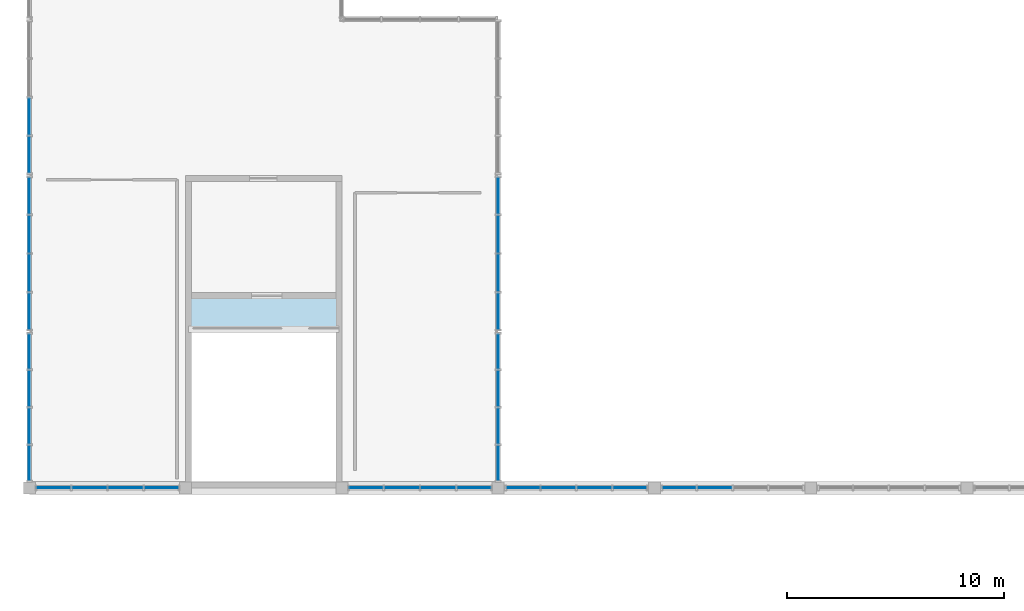
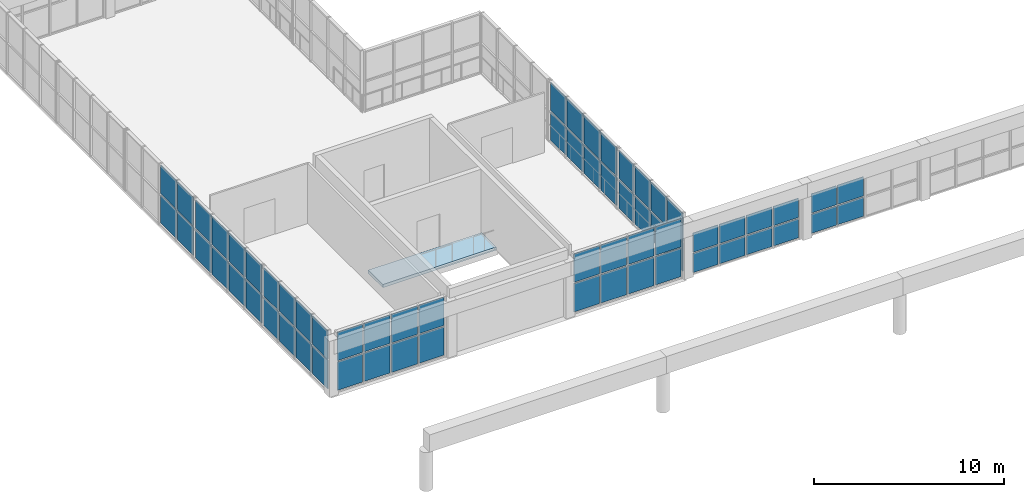
# One storey, part 50 of 83: 64 plates, 1 slab, 9 elements without a shape of their own.
"""IFC4 building model written with IfcOpenShell, lengths in metres."""

import ifcopenshell
import ifcopenshell.guid

model = None  # the IFC model being written
_history = None  # IfcOwnerHistory: only IFC2X3 demands one
_inside = {}  # id of a spatial element -> (the spatial element, [elements in it])
_under = {}  # id of a project, library or spatial element -> (it, [spatial elements below it])
_declared = {}  # id of a project -> (the project, [libraries it declares])
_typed = {}  # id of a type object -> (the type object, [elements of that type])
_made_of = {}  # id of a material, layer set ... -> (it, [elements and type objects made of it])


def new_model(schema):
    """Start an empty IFC model of exactly this schema.

    Asked for "IFC4X3", IfcOpenShell would pick the latest addendum, in which some entities
    have other attributes; the version numbers below select the first issue.
    IFC2X3 requires an IfcOwnerHistory on every rooted entity: one is made here for all.
    """
    global model, _history
    if schema == "IFC4X3":
        model = ifcopenshell.file(schema_version=(4, 3, 0, 0))
    else:
        model = ifcopenshell.file(schema=schema)
    _inside.clear()
    _under.clear()
    _declared.clear()
    _typed.clear()
    _made_of.clear()
    _history = None
    if model.schema == "IFC2X3":
        org = make("IfcOrganization", Name="unknown")
        user = make(
            "IfcPersonAndOrganization",
            ThePerson=make("IfcPerson", FamilyName="unknown"),
            TheOrganization=org,
        )
        app = make(
            "IfcApplication",
            ApplicationDeveloper=org,
            Version="unknown",
            ApplicationFullName="unknown",
            ApplicationIdentifier="unknown",
        )
        _history = make(
            "IfcOwnerHistory",
            OwningUser=user,
            OwningApplication=app,
            ChangeAction="ADDED",
            CreationDate=0,
        )
    return model


def make(cls, **values):
    """One entity of the class cls with the attributes given. An attribute that is None is left unset."""
    return model.create_entity(
        cls, **{name: value for name, value in values.items() if value is not None}
    )


def rooted(cls, **values):
    """An entity with a GlobalId (a new one), such as an element, a storey or a relation."""
    return make(cls, GlobalId=ifcopenshell.guid.new(), OwnerHistory=_history, **values)


def si_unit(unit_type, name, prefix=None):
    """IfcSIUnit, for example si_unit("LENGTHUNIT", "METRE", prefix="MILLI")."""
    return make("IfcSIUnit", UnitType=unit_type, Prefix=prefix, Name=name)


def assignment(units):
    """IfcUnitAssignment: the units of a project."""
    return None if units is None else make("IfcUnitAssignment", Units=units)


def point(xyz):
    """IfcCartesianPoint."""
    return None if xyz is None else make("IfcCartesianPoint", Coordinates=xyz)


def direction(xyz):
    """IfcDirection."""
    return None if xyz is None else make("IfcDirection", DirectionRatios=xyz)


def frame(location, z_axis=None, x_axis=None):
    """IfcAxis2Placement3D, a coordinate frame: its origin and axes. An axis left out is left unset."""
    return make(
        "IfcAxis2Placement3D",
        Location=point(location),
        Axis=direction(z_axis),
        RefDirection=direction(x_axis),
    )


def frame_2d(location, x_axis=None):
    """IfcAxis2Placement2D, a coordinate frame in the plane: its origin and x axis."""
    return make(
        "IfcAxis2Placement2D", Location=point(location), RefDirection=direction(x_axis)
    )


def origin():
    """The frame at (0, 0, 0) with its axes left unset."""
    return frame((0.0, 0.0, 0.0))


def origin_2d():
    """The frame at (0, 0) in the plane with its x axis left unset."""
    return frame_2d((0.0, 0.0))


def place(relative_to, where):
    """IfcLocalPlacement: puts the frame where relative to a parent placement (None: the world)."""
    return make(
        "IfcLocalPlacement", PlacementRelTo=relative_to, RelativePlacement=where
    )


def context(
    kind, dimensions, precision=None, world=None, true_north=None, identifier=None
):
    """IfcGeometricRepresentationContext, for example the 3D "Model" context."""
    return make(
        "IfcGeometricRepresentationContext",
        ContextIdentifier=identifier,
        ContextType=kind,
        CoordinateSpaceDimension=dimensions,
        Precision=precision,
        WorldCoordinateSystem=world,
        TrueNorth=true_north,
    )


def subcontext(parent, identifier, kind, view, scale=None):
    """IfcGeometricRepresentationSubContext, for example "Body" below "Model"."""
    return make(
        "IfcGeometricRepresentationSubContext",
        ContextIdentifier=identifier,
        ContextType=kind,
        ParentContext=parent,
        TargetScale=scale,
        TargetView=view,
    )


def project(units=None, contexts=None):
    """IfcProject with its units and contexts."""
    return rooted(
        "IfcProject",
        Name="project",
        RepresentationContexts=contexts,
        UnitsInContext=assignment(units),
    )


def spatial(cls, under=None, at=None, **own):
    """A site, building, storey or space (cls), placed at a placement, below another one or the project."""
    s = rooted(cls, ObjectPlacement=at, **own)
    if under is not None:
        _under.setdefault(under.id(), (under, []))[1].append(s)
    return s


def polyline(points):
    """IfcPolyline through the points."""
    return make("IfcPolyline", Points=[point(p) for p in points])


def profile(cls, at=None, kind="AREA", **sizes):
    """A parametric profile (cls). Its sizes go by their IFC names, for example OverallWidth=200.0."""
    return make(cls, ProfileType=kind, Position=at, **sizes)


def rectangle(**sizes):
    """IfcRectangleProfileDef."""
    return profile("IfcRectangleProfileDef", **sizes)


def outline(outer, holes=None, kind="AREA"):
    """IfcArbitraryClosedProfileDef: a profile drawn as a closed curve; with holes, ...WithVoids."""
    if holes is None:
        return make("IfcArbitraryClosedProfileDef", ProfileType=kind, OuterCurve=outer)
    return make(
        "IfcArbitraryProfileDefWithVoids",
        ProfileType=kind,
        OuterCurve=outer,
        InnerCurves=holes,
    )


def extrude(swept, where, along, depth):
    """IfcExtrudedAreaSolid: the profile swept, set in the frame where, extruded along a direction by depth."""
    return make(
        "IfcExtrudedAreaSolid",
        SweptArea=swept,
        Position=where,
        ExtrudedDirection=direction(along),
        Depth=depth,
    )


def shape(context_of_items, identifier, shape_type, items):
    """IfcShapeRepresentation: the items that make up one representation, for example the "Body"."""
    return make(
        "IfcShapeRepresentation",
        ContextOfItems=context_of_items,
        RepresentationIdentifier=identifier,
        RepresentationType=shape_type,
        Items=items,
    )


def material(Name=None, Category=None):
    """IfcMaterial."""
    return make("IfcMaterial", Name=Name, Category=Category)


def layer(
    of_material, thickness, ventilated=None, Name=None, Category=None, Priority=None
):
    """IfcMaterialLayer: one layer of a wall or slab, of a material (None: an air gap)."""
    return make(
        "IfcMaterialLayer",
        Material=of_material,
        LayerThickness=thickness,
        IsVentilated=ventilated,
        Name=Name,
        Category=Category,
        Priority=Priority,
    )


def layer_set(layers, Name=None):
    """IfcMaterialLayerSet."""
    return make("IfcMaterialLayerSet", MaterialLayers=layers, LayerSetName=Name)


def made_of(thing, what):
    """Note that an element or type object is made of a material, layer set ...; save() writes the relation."""
    if what is not None:
        _made_of.setdefault(what.id(), (what, []))[1].append(thing)
    return thing


def type_object(cls, material=None, **own):
    """A type object (cls), such as IfcWallType, which elements share."""
    return made_of(rooted(cls, **own), material)


def element(
    cls,
    number,
    at=None,
    inside=None,
    cuts=None,
    type_object=None,
    material=None,
    context=None,
    identifier="Body",
    shape_type=None,
    held_by="IfcProductDefinitionShape",
    body=None,
    shapes=None,
    **own,
):
    """One element of the class cls, such as IfcWall. Its Tag is "e" and its number.

    at: its placement. inside: the storey or other place that contains it. cuts: it is an
    opening in that element (IfcRelVoidsElement). A single representation is given by context,
    identifier, shape_type and body (its items); several are given by shapes. held_by: the class
    of the entity that holds the representations. save() writes the other relations.
    """
    e = rooted(cls, Tag="e%d" % number, ObjectPlacement=at, **own)
    if body is not None:
        shapes = [shape(context, identifier, shape_type, body)]
    if shapes is not None:
        e.Representation = make(held_by, Representations=shapes)
    if inside is not None:
        _inside.setdefault(inside.id(), (inside, []))[1].append(e)
    if cuts is not None:
        rooted(
            "IfcRelVoidsElement", RelatingBuildingElement=cuts, RelatedOpeningElement=e
        )
    if type_object is not None:
        _typed.setdefault(type_object.id(), (type_object, []))[1].append(e)
    return made_of(e, material)


def aggregate(whole, parts):
    """IfcRelAggregates: a whole, such as a stair, and the parts it consists of."""
    return rooted("IfcRelAggregates", RelatingObject=whole, RelatedObjects=parts)


def save(model, path):
    """Write the relations noted so far, then the file.

    IfcRelAggregates (storeys below a building ...), IfcRelContainedInSpatialStructure (elements
    in a storey), IfcRelDefinesByType, IfcRelAssociatesMaterial and IfcRelDeclares: one each for
    every whole, place, type object, material and project.
    """
    for whole, parts in _under.values():
        aggregate(whole, parts)
    for where, things in _inside.values():
        rooted(
            "IfcRelContainedInSpatialStructure",
            RelatedElements=things,
            RelatingStructure=where,
        )
    for kind, things in _typed.values():
        rooted("IfcRelDefinesByType", RelatedObjects=things, RelatingType=kind)
    for what, things in _made_of.values():
        rooted("IfcRelAssociatesMaterial", RelatedObjects=things, RelatingMaterial=what)
    for by, libraries in _declared.values():
        rooted("IfcRelDeclares", RelatingContext=by, RelatedDefinitions=libraries)
    model.write(path)


model = new_model("IFC4")

# Units and contexts
model_context = context("Model", 3, precision=1e-05, world=origin(), true_north=direction((0.0, 1.0)))
body_context = subcontext(model_context, "Body", "Model", "MODEL_VIEW")
ifc_project = project(units=[si_unit("LENGTHUNIT", "METRE"), si_unit("AREAUNIT", "SQUARE_METRE"), si_unit("VOLUMEUNIT", "CUBIC_METRE"), si_unit("PLANEANGLEUNIT", "RADIAN"), si_unit("MASSUNIT", "GRAM", prefix="KILO")], contexts=[model_context])

# Site, building, storey
site_placement = place(None, origin())
site = spatial("IfcSite", under=ifc_project, at=site_placement, CompositionType="ELEMENT")
building_placement = place(site_placement, origin())
building = spatial("IfcBuilding", under=site, at=building_placement, Name="Leyfeld Transit Interchange", CompositionType="ELEMENT")
storey_placement = place(building_placement, frame((0.0, 0.0, 5.39990234375)))
storey = spatial("IfcBuildingStorey", under=building, at=storey_placement, Name="L01", CompositionType="ELEMENT", Elevation=5.39990234375)

# Curtain wall, plates
ifc_material_1 = material(Name="Anodised aluminium EN AW-6060 T66", Category="aluminium")
curtain_wall_type = type_object("IfcCurtainWallType", Name="CW-SYS-ARC-7200", PredefinedType="NOTDEFINED", material=ifc_material_1)
curtain_wall_1_placement = place(storey_placement, origin())
curtain_wall_1 = element("IfcCurtainWall", 1, at=curtain_wall_1_placement, inside=storey, type_object=curtain_wall_type, Name="Curtain Wall CW-L01-051", PredefinedType="NOTDEFINED")
ifc_material_2 = material(Name="Triple low-E insulated glazing", Category="glass")
ifc_layer_1 = layer(ifc_material_2, 0.0439453125, Name="Triple low-E insulated glazing")
ifc_layer_set_1 = layer_set([ifc_layer_1], Name="Triple low-E insulated glazing")
plate_type = type_object("IfcPlateType", Name="CW-PNL-GLZ-44", PredefinedType="CURTAIN_PANEL", material=ifc_layer_set_1)
plate_1_placement = place(storey_placement, frame((6.080078125, 14.39990234375, 0.08349609375), z_axis=(0.0, 0.0, 1.0), x_axis=(-1.0, 0.0, 0.0)))
plate_1 = element("IfcPlate", 2, at=plate_1_placement, type_object=plate_type, Name="Glazed Curtain Panel CW-L01-051-P01_1", PredefinedType="CURTAIN_PANEL", context=body_context, shape_type="SweptSolid", body=[
    extrude(rectangle(XDim=1.54296875, YDim=0.0439453125, at=origin_2d()), origin(), (0.0, 0.0, 1.0), 1.825439453125),
])
plate_2_placement = place(storey_placement, frame((6.080078125, 14.39990234375, 1.9912109375), z_axis=(0.0, 0.0, 1.0), x_axis=(-1.0, 0.0, 0.0)))
plate_2 = element("IfcPlate", 3, at=plate_2_placement, type_object=plate_type, Name="Glazed Curtain Panel CW-L01-051-P01_2", PredefinedType="CURTAIN_PANEL", context=body_context, shape_type="SweptSolid", body=[
    extrude(rectangle(XDim=1.54296875, YDim=0.0439453125, at=origin_2d()), origin(), (0.0, 0.0, 1.0), 1.825439453125),
])
plate_3_placement = place(storey_placement, frame((4.43359375, 14.39990234375, 0.08349609375), z_axis=(0.0, 0.0, 1.0), x_axis=(-1.0, 0.0, 0.0)))
plate_3 = element("IfcPlate", 4, at=plate_3_placement, type_object=plate_type, Name="Glazed Curtain Panel CW-L01-051-P02_1", PredefinedType="CURTAIN_PANEL", context=body_context, shape_type="SweptSolid", body=[
    extrude(rectangle(XDim=1.58544921875, YDim=0.0439453125, at=origin_2d()), origin(), (0.0, 0.0, 1.0), 1.825439453125),
])
plate_4_placement = place(storey_placement, frame((4.43359375, 14.39990234375, 1.9912109375), z_axis=(0.0, 0.0, 1.0), x_axis=(-1.0, 0.0, 0.0)))
plate_4 = element("IfcPlate", 5, at=plate_4_placement, type_object=plate_type, Name="Glazed Curtain Panel CW-L01-051-P02_2", PredefinedType="CURTAIN_PANEL", context=body_context, shape_type="SweptSolid", body=[
    extrude(rectangle(XDim=1.58544921875, YDim=0.0439453125, at=origin_2d()), origin(), (0.0, 0.0, 1.0), 1.825439453125),
])
plate_5_placement = place(storey_placement, frame((2.76611328125, 14.39990234375, 0.08349609375), z_axis=(0.0, 0.0, 1.0), x_axis=(-1.0, 0.0, 0.0)))
plate_5 = element("IfcPlate", 6, at=plate_5_placement, type_object=plate_type, Name="Glazed Curtain Panel CW-L01-051-P03_1", PredefinedType="CURTAIN_PANEL", context=body_context, shape_type="SweptSolid", body=[
    extrude(rectangle(XDim=1.58544921875, YDim=0.0439453125, at=origin_2d()), origin(), (0.0, 0.0, 1.0), 1.825439453125),
])
plate_6_placement = place(storey_placement, frame((2.76611328125, 14.39990234375, 1.9912109375), z_axis=(0.0, 0.0, 1.0), x_axis=(-1.0, 0.0, 0.0)))
plate_6 = element("IfcPlate", 7, at=plate_6_placement, type_object=plate_type, Name="Glazed Curtain Panel CW-L01-051-P03_2", PredefinedType="CURTAIN_PANEL", context=body_context, shape_type="SweptSolid", body=[
    extrude(rectangle(XDim=1.58544921875, YDim=0.0439453125, at=origin_2d()), origin(), (0.0, 0.0, 1.0), 1.825439453125),
])
plate_7_placement = place(storey_placement, frame((1.1201171875, 14.39990234375, 0.08349609375), z_axis=(0.0, 0.0, 1.0), x_axis=(-1.0, 0.0, 0.0)))
plate_7 = element("IfcPlate", 8, at=plate_7_placement, type_object=plate_type, Name="Glazed Curtain Panel CW-L01-051-P04_1", PredefinedType="CURTAIN_PANEL", context=body_context, shape_type="SweptSolid", body=[
    extrude(rectangle(XDim=1.54296875, YDim=0.0439453125, at=origin_2d()), origin(), (0.0, 0.0, 1.0), 1.825439453125),
])
plate_8_placement = place(storey_placement, frame((1.1201171875, 14.39990234375, 1.9912109375), z_axis=(0.0, 0.0, 1.0), x_axis=(-1.0, 0.0, 0.0)))
plate_8 = element("IfcPlate", 9, at=plate_8_placement, type_object=plate_type, Name="Glazed Curtain Panel CW-L01-051-P04_2", PredefinedType="CURTAIN_PANEL", context=body_context, shape_type="SweptSolid", body=[
    extrude(rectangle(XDim=1.54296875, YDim=0.0439453125, at=origin_2d()), origin(), (0.0, 0.0, 1.0), 1.825439453125),
])
aggregate(curtain_wall_1, [plate_1, plate_2, plate_3, plate_4, plate_5, plate_6, plate_7, plate_8])

curtain_wall_2_placement = place(storey_placement, origin())
curtain_wall_2 = element("IfcCurtainWall", 10, at=curtain_wall_2_placement, inside=storey, type_object=curtain_wall_type, Name="Curtain Wall CW-L01-052", PredefinedType="NOTDEFINED")
plate_9_placement = place(storey_placement, frame((0.0, 15.54931640625, 0.08349609375), z_axis=(0.0, 0.0, 1.0), x_axis=(0.0, 1.0, 0.0)))
plate_9 = element("IfcPlate", 11, at=plate_9_placement, type_object=plate_type, Name="Glazed Curtain Panel CW-L01-052-P01_1", PredefinedType="CURTAIN_PANEL", context=body_context, shape_type="SweptSolid", body=[
    extrude(rectangle(XDim=1.601806640625, YDim=0.0439453125, at=origin_2d()), origin(), (0.0, 0.0, 1.0), 1.825439453125),
])
plate_10_placement = place(storey_placement, frame((0.0, 15.54931640625, 1.9912109375), z_axis=(0.0, 0.0, 1.0), x_axis=(0.0, 1.0, 0.0)))
plate_10 = element("IfcPlate", 12, at=plate_10_placement, type_object=plate_type, Name="Glazed Curtain Panel CW-L01-052-P01_2", PredefinedType="CURTAIN_PANEL", context=body_context, shape_type="SweptSolid", body=[
    extrude(rectangle(XDim=1.601806640625, YDim=0.0439453125, at=origin_2d()), origin(), (0.0, 0.0, 1.0), 1.825439453125),
])
plate_11_placement = place(storey_placement, frame((0.0, 17.25439453125, 0.08349609375), z_axis=(0.0, 0.0, 1.0), x_axis=(0.0, 1.0, 0.0)))
plate_11 = element("IfcPlate", 13, at=plate_11_placement, type_object=plate_type, Name="Glazed Curtain Panel CW-L01-052-P02_1", PredefinedType="CURTAIN_PANEL", context=body_context, shape_type="SweptSolid", body=[
    extrude(rectangle(XDim=1.644287109375, YDim=0.0439453125, at=origin_2d()), origin(), (0.0, 0.0, 1.0), 1.825439453125),
])
plate_12_placement = place(storey_placement, frame((0.0, 17.25439453125, 1.9912109375), z_axis=(0.0, 0.0, 1.0), x_axis=(0.0, 1.0, 0.0)))
plate_12 = element("IfcPlate", 14, at=plate_12_placement, type_object=plate_type, Name="Glazed Curtain Panel CW-L01-052-P02_2", PredefinedType="CURTAIN_PANEL", context=body_context, shape_type="SweptSolid", body=[
    extrude(rectangle(XDim=1.644287109375, YDim=0.0439453125, at=origin_2d()), origin(), (0.0, 0.0, 1.0), 1.825439453125),
])
plate_13_placement = place(storey_placement, frame((0.0, 18.980712890625, 0.08349609375), z_axis=(0.0, 0.0, 1.0), x_axis=(0.0, 1.0, 0.0)))
plate_13 = element("IfcPlate", 15, at=plate_13_placement, type_object=plate_type, Name="Glazed Curtain Panel CW-L01-052-P03_1", PredefinedType="CURTAIN_PANEL", context=body_context, shape_type="SweptSolid", body=[
    extrude(rectangle(XDim=1.644287109375, YDim=0.0439453125, at=origin_2d()), origin(), (0.0, 0.0, 1.0), 1.825439453125),
])
plate_14_placement = place(storey_placement, frame((0.0, 18.980712890625, 1.9912109375), z_axis=(0.0, 0.0, 1.0), x_axis=(0.0, 1.0, 0.0)))
plate_14 = element("IfcPlate", 16, at=plate_14_placement, type_object=plate_type, Name="Glazed Curtain Panel CW-L01-052-P03_2", PredefinedType="CURTAIN_PANEL", context=body_context, shape_type="SweptSolid", body=[
    extrude(rectangle(XDim=1.644287109375, YDim=0.0439453125, at=origin_2d()), origin(), (0.0, 0.0, 1.0), 1.825439453125),
])
plate_15_placement = place(storey_placement, frame((0.0, 20.685546875, 0.08349609375), z_axis=(0.0, 0.0, 1.0), x_axis=(0.0, 1.0, 0.0)))
plate_15 = element("IfcPlate", 17, at=plate_15_placement, type_object=plate_type, Name="Glazed Curtain Panel CW-L01-052-P04_1", PredefinedType="CURTAIN_PANEL", context=body_context, shape_type="SweptSolid", body=[
    extrude(rectangle(XDim=1.601806640625, YDim=0.0439453125, at=origin_2d()), origin(), (0.0, 0.0, 1.0), 1.825439453125),
])
plate_16_placement = place(storey_placement, frame((0.0, 20.685546875, 1.9912109375), z_axis=(0.0, 0.0, 1.0), x_axis=(0.0, 1.0, 0.0)))
plate_16 = element("IfcPlate", 18, at=plate_16_placement, type_object=plate_type, Name="Glazed Curtain Panel CW-L01-052-P04_2", PredefinedType="CURTAIN_PANEL", context=body_context, shape_type="SweptSolid", body=[
    extrude(rectangle(XDim=1.601806640625, YDim=0.0439453125, at=origin_2d()), origin(), (0.0, 0.0, 1.0), 1.825439453125),
])
aggregate(curtain_wall_2, [plate_9, plate_10, plate_11, plate_12, plate_13, plate_14, plate_15, plate_16])

curtain_wall_3_placement = place(storey_placement, origin())
curtain_wall_3 = element("IfcCurtainWall", 19, at=curtain_wall_3_placement, inside=storey, type_object=curtain_wall_type, Name="Curtain Wall CW-L01-053", PredefinedType="NOTDEFINED")
plate_17_placement = place(storey_placement, frame((0.0, 22.543701171875, 0.08349609375), z_axis=(0.0, 0.0, 1.0), x_axis=(0.0, 1.0, 0.0)))
plate_17 = element("IfcPlate", 20, at=plate_17_placement, type_object=plate_type, Name="Glazed Curtain Panel CW-L01-053-P01_1", PredefinedType="CURTAIN_PANEL", context=body_context, shape_type="SweptSolid", body=[
    extrude(rectangle(XDim=1.660400390625, YDim=0.0439453125, at=origin_2d()), origin(), (0.0, 0.0, 1.0), 1.825439453125),
])
plate_18_placement = place(storey_placement, frame((0.0, 22.543701171875, 1.9912109375), z_axis=(0.0, 0.0, 1.0), x_axis=(0.0, 1.0, 0.0)))
plate_18 = element("IfcPlate", 21, at=plate_18_placement, type_object=plate_type, Name="Glazed Curtain Panel CW-L01-053-P01_2", PredefinedType="CURTAIN_PANEL", context=body_context, shape_type="SweptSolid", body=[
    extrude(rectangle(XDim=1.660400390625, YDim=0.0439453125, at=origin_2d()), origin(), (0.0, 0.0, 1.0), 1.825439453125),
])
plate_19_placement = place(storey_placement, frame((0.0, 24.3076171875, 0.08349609375), z_axis=(0.0, 0.0, 1.0), x_axis=(0.0, 1.0, 0.0)))
plate_19 = element("IfcPlate", 22, at=plate_19_placement, type_object=plate_type, Name="Glazed Curtain Panel CW-L01-053-P02_1", PredefinedType="CURTAIN_PANEL", context=body_context, shape_type="SweptSolid", body=[
    extrude(rectangle(XDim=1.702880859375, YDim=0.0439453125, at=origin_2d()), origin(), (0.0, 0.0, 1.0), 1.825439453125),
])
plate_20_placement = place(storey_placement, frame((0.0, 24.3076171875, 1.9912109375), z_axis=(0.0, 0.0, 1.0), x_axis=(0.0, 1.0, 0.0)))
plate_20 = element("IfcPlate", 23, at=plate_20_placement, type_object=plate_type, Name="Glazed Curtain Panel CW-L01-053-P02_2", PredefinedType="CURTAIN_PANEL", context=body_context, shape_type="SweptSolid", body=[
    extrude(rectangle(XDim=1.702880859375, YDim=0.0439453125, at=origin_2d()), origin(), (0.0, 0.0, 1.0), 1.825439453125),
])
plate_21_placement = place(storey_placement, frame((0.0, 26.092529296875, 0.08349609375), z_axis=(0.0, 0.0, 1.0), x_axis=(0.0, 1.0, 0.0)))
plate_21 = element("IfcPlate", 24, at=plate_21_placement, type_object=plate_type, Name="Glazed Curtain Panel CW-L01-053-P03_1", PredefinedType="CURTAIN_PANEL", context=body_context, shape_type="SweptSolid", body=[
    extrude(rectangle(XDim=1.702880859375, YDim=0.0439453125, at=origin_2d()), origin(), (0.0, 0.0, 1.0), 1.825439453125),
])
plate_22_placement = place(storey_placement, frame((0.0, 26.092529296875, 1.9912109375), z_axis=(0.0, 0.0, 1.0), x_axis=(0.0, 1.0, 0.0)))
plate_22 = element("IfcPlate", 25, at=plate_22_placement, type_object=plate_type, Name="Glazed Curtain Panel CW-L01-053-P03_2", PredefinedType="CURTAIN_PANEL", context=body_context, shape_type="SweptSolid", body=[
    extrude(rectangle(XDim=1.702880859375, YDim=0.0439453125, at=origin_2d()), origin(), (0.0, 0.0, 1.0), 1.825439453125),
])
plate_23_placement = place(storey_placement, frame((0.0, 27.856201171875, 0.08349609375), z_axis=(0.0, 0.0, 1.0), x_axis=(0.0, 1.0, 0.0)))
plate_23 = element("IfcPlate", 26, at=plate_23_placement, type_object=plate_type, Name="Glazed Curtain Panel CW-L01-053-P04_1", PredefinedType="CURTAIN_PANEL", context=body_context, shape_type="SweptSolid", body=[
    extrude(rectangle(XDim=1.660400390625, YDim=0.0439453125, at=origin_2d()), origin(), (0.0, 0.0, 1.0), 1.825439453125),
])
plate_24_placement = place(storey_placement, frame((0.0, 27.856201171875, 1.9912109375), z_axis=(0.0, 0.0, 1.0), x_axis=(0.0, 1.0, 0.0)))
plate_24 = element("IfcPlate", 27, at=plate_24_placement, type_object=plate_type, Name="Glazed Curtain Panel CW-L01-053-P04_2", PredefinedType="CURTAIN_PANEL", context=body_context, shape_type="SweptSolid", body=[
    extrude(rectangle(XDim=1.660400390625, YDim=0.0439453125, at=origin_2d()), origin(), (0.0, 0.0, 1.0), 1.825439453125),
])
aggregate(curtain_wall_3, [plate_17, plate_18, plate_19, plate_20, plate_21, plate_22, plate_23, plate_24])

curtain_wall_4_placement = place(storey_placement, origin())
curtain_wall_4 = element("IfcCurtainWall", 28, at=curtain_wall_4_placement, inside=storey, type_object=curtain_wall_type, Name="Curtain Wall CW-L01-054", PredefinedType="NOTDEFINED")
plate_25_placement = place(storey_placement, frame((0.0, 29.74365234375, 0.08349609375), z_axis=(0.0, 0.0, 1.0), x_axis=(0.0, 1.0, 0.0)))
plate_25 = element("IfcPlate", 29, at=plate_25_placement, type_object=plate_type, Name="Glazed Curtain Panel CW-L01-054-P01_1", PredefinedType="CURTAIN_PANEL", context=body_context, shape_type="SweptSolid", body=[
    extrude(rectangle(XDim=1.660400390625, YDim=0.0439453125, at=origin_2d()), origin(), (0.0, 0.0, 1.0), 1.825439453125),
])
plate_26_placement = place(storey_placement, frame((0.0, 29.74365234375, 1.9912109375), z_axis=(0.0, 0.0, 1.0), x_axis=(0.0, 1.0, 0.0)))
plate_26 = element("IfcPlate", 30, at=plate_26_placement, type_object=plate_type, Name="Glazed Curtain Panel CW-L01-054-P01_2", PredefinedType="CURTAIN_PANEL", context=body_context, shape_type="SweptSolid", body=[
    extrude(rectangle(XDim=1.660400390625, YDim=0.0439453125, at=origin_2d()), origin(), (0.0, 0.0, 1.0), 1.825439453125),
])
plate_27_placement = place(storey_placement, frame((0.0, 31.507568359375, 0.08349609375), z_axis=(0.0, 0.0, 1.0), x_axis=(0.0, 1.0, 0.0)))
plate_27 = element("IfcPlate", 31, at=plate_27_placement, type_object=plate_type, Name="Glazed Curtain Panel CW-L01-054-P02_1", PredefinedType="CURTAIN_PANEL", context=body_context, shape_type="SweptSolid", body=[
    extrude(rectangle(XDim=1.702880859375, YDim=0.0439453125, at=origin_2d()), origin(), (0.0, 0.0, 1.0), 1.825439453125),
])
plate_28_placement = place(storey_placement, frame((0.0, 31.507568359375, 1.9912109375), z_axis=(0.0, 0.0, 1.0), x_axis=(0.0, 1.0, 0.0)))
plate_28 = element("IfcPlate", 32, at=plate_28_placement, type_object=plate_type, Name="Glazed Curtain Panel CW-L01-054-P02_2", PredefinedType="CURTAIN_PANEL", context=body_context, shape_type="SweptSolid", body=[
    extrude(rectangle(XDim=1.702880859375, YDim=0.0439453125, at=origin_2d()), origin(), (0.0, 0.0, 1.0), 1.825439453125),
])
aggregate(curtain_wall_4, [plate_25, plate_26, plate_27, plate_28])

curtain_wall_5_placement = place(storey_placement, origin())
curtain_wall_5 = element("IfcCurtainWall", 33, at=curtain_wall_5_placement, inside=storey, type_object=curtain_wall_type, Name="Curtain Wall CW-L01-063", PredefinedType="NOTDEFINED")
plate_29_placement = place(storey_placement, frame((21.60009765625, 27.856201171875, 0.08349609375), z_axis=(0.0, 0.0, 1.0), x_axis=(0.0, -1.0, 0.0)))
plate_29 = element("IfcPlate", 34, at=plate_29_placement, type_object=plate_type, Name="Glazed Curtain Panel CW-L01-063-P01_1", PredefinedType="CURTAIN_PANEL", context=body_context, shape_type="SweptSolid", body=[
    extrude(rectangle(XDim=1.660400390625, YDim=0.0439453125, at=origin_2d()), origin(), (0.0, 0.0, 1.0), 1.825439453125),
])
plate_30_placement = place(storey_placement, frame((21.60009765625, 27.856201171875, 1.9912109375), z_axis=(0.0, 0.0, 1.0), x_axis=(0.0, -1.0, 0.0)))
plate_30 = element("IfcPlate", 35, at=plate_30_placement, type_object=plate_type, Name="Glazed Curtain Panel CW-L01-063-P01_2", PredefinedType="CURTAIN_PANEL", context=body_context, shape_type="SweptSolid", body=[
    extrude(rectangle(XDim=1.660400390625, YDim=0.0439453125, at=origin_2d()), origin(), (0.0, 0.0, 1.0), 1.825439453125),
])
plate_31_placement = place(storey_placement, frame((21.60009765625, 26.092529296875, 0.08349609375), z_axis=(0.0, 0.0, 1.0), x_axis=(0.0, -1.0, 0.0)))
plate_31 = element("IfcPlate", 36, at=plate_31_placement, type_object=plate_type, Name="Glazed Curtain Panel CW-L01-063-P02_1", PredefinedType="CURTAIN_PANEL", context=body_context, shape_type="SweptSolid", body=[
    extrude(rectangle(XDim=1.702880859375, YDim=0.0439453125, at=origin_2d()), origin(), (0.0, 0.0, 1.0), 1.825439453125),
])
plate_32_placement = place(storey_placement, frame((21.60009765625, 26.092529296875, 1.9912109375), z_axis=(0.0, 0.0, 1.0), x_axis=(0.0, -1.0, 0.0)))
plate_32 = element("IfcPlate", 37, at=plate_32_placement, type_object=plate_type, Name="Glazed Curtain Panel CW-L01-063-P02_2", PredefinedType="CURTAIN_PANEL", context=body_context, shape_type="SweptSolid", body=[
    extrude(rectangle(XDim=1.702880859375, YDim=0.0439453125, at=origin_2d()), origin(), (0.0, 0.0, 1.0), 1.825439453125),
])
plate_33_placement = place(storey_placement, frame((21.60009765625, 24.3076171875, 0.08349609375), z_axis=(0.0, 0.0, 1.0), x_axis=(0.0, -1.0, 0.0)))
plate_33 = element("IfcPlate", 38, at=plate_33_placement, type_object=plate_type, Name="Glazed Curtain Panel CW-L01-063-P03_1", PredefinedType="CURTAIN_PANEL", context=body_context, shape_type="SweptSolid", body=[
    extrude(rectangle(XDim=1.702880859375, YDim=0.0439453125, at=origin_2d()), origin(), (0.0, 0.0, 1.0), 1.825439453125),
])
plate_34_placement = place(storey_placement, frame((21.60009765625, 24.3076171875, 1.9912109375), z_axis=(0.0, 0.0, 1.0), x_axis=(0.0, -1.0, 0.0)))
plate_34 = element("IfcPlate", 39, at=plate_34_placement, type_object=plate_type, Name="Glazed Curtain Panel CW-L01-063-P03_2", PredefinedType="CURTAIN_PANEL", context=body_context, shape_type="SweptSolid", body=[
    extrude(rectangle(XDim=1.702880859375, YDim=0.0439453125, at=origin_2d()), origin(), (0.0, 0.0, 1.0), 1.825439453125),
])
plate_35_placement = place(storey_placement, frame((21.60009765625, 22.543701171875, 0.08349609375), z_axis=(0.0, 0.0, 1.0), x_axis=(0.0, -1.0, 0.0)))
plate_35 = element("IfcPlate", 40, at=plate_35_placement, type_object=plate_type, Name="Glazed Curtain Panel CW-L01-063-P04_1", PredefinedType="CURTAIN_PANEL", context=body_context, shape_type="SweptSolid", body=[
    extrude(rectangle(XDim=1.660400390625, YDim=0.0439453125, at=origin_2d()), origin(), (0.0, 0.0, 1.0), 1.825439453125),
])
plate_36_placement = place(storey_placement, frame((21.60009765625, 22.543701171875, 1.9912109375), z_axis=(0.0, 0.0, 1.0), x_axis=(0.0, -1.0, 0.0)))
plate_36 = element("IfcPlate", 41, at=plate_36_placement, type_object=plate_type, Name="Glazed Curtain Panel CW-L01-063-P04_2", PredefinedType="CURTAIN_PANEL", context=body_context, shape_type="SweptSolid", body=[
    extrude(rectangle(XDim=1.660400390625, YDim=0.0439453125, at=origin_2d()), origin(), (0.0, 0.0, 1.0), 1.825439453125),
])
aggregate(curtain_wall_5, [plate_29, plate_30, plate_31, plate_32, plate_33, plate_34, plate_35, plate_36])

curtain_wall_6_placement = place(storey_placement, origin())
curtain_wall_6 = element("IfcCurtainWall", 42, at=curtain_wall_6_placement, inside=storey, type_object=curtain_wall_type, Name="Curtain Wall CW-L01-064", PredefinedType="NOTDEFINED")
plate_37_placement = place(storey_placement, frame((21.60009765625, 20.685546875, 0.08349609375), z_axis=(0.0, 0.0, 1.0), x_axis=(0.0, -1.0, 0.0)))
plate_37 = element("IfcPlate", 43, at=plate_37_placement, type_object=plate_type, Name="Glazed Curtain Panel CW-L01-064-P01_1", PredefinedType="CURTAIN_PANEL", context=body_context, shape_type="SweptSolid", body=[
    extrude(rectangle(XDim=1.601806640625, YDim=0.0439453125, at=origin_2d()), origin(), (0.0, 0.0, 1.0), 1.825439453125),
])
plate_38_placement = place(storey_placement, frame((21.60009765625, 20.685546875, 1.9912109375), z_axis=(0.0, 0.0, 1.0), x_axis=(0.0, -1.0, 0.0)))
plate_38 = element("IfcPlate", 44, at=plate_38_placement, type_object=plate_type, Name="Glazed Curtain Panel CW-L01-064-P01_2", PredefinedType="CURTAIN_PANEL", context=body_context, shape_type="SweptSolid", body=[
    extrude(rectangle(XDim=1.601806640625, YDim=0.0439453125, at=origin_2d()), origin(), (0.0, 0.0, 1.0), 1.825439453125),
])
plate_39_placement = place(storey_placement, frame((21.60009765625, 18.980712890625, 0.08349609375), z_axis=(0.0, 0.0, 1.0), x_axis=(0.0, -1.0, 0.0)))
plate_39 = element("IfcPlate", 45, at=plate_39_placement, type_object=plate_type, Name="Glazed Curtain Panel CW-L01-064-P02_1", PredefinedType="CURTAIN_PANEL", context=body_context, shape_type="SweptSolid", body=[
    extrude(rectangle(XDim=1.644287109375, YDim=0.0439453125, at=origin_2d()), origin(), (0.0, 0.0, 1.0), 1.825439453125),
])
plate_40_placement = place(storey_placement, frame((21.60009765625, 18.980712890625, 1.9912109375), z_axis=(0.0, 0.0, 1.0), x_axis=(0.0, -1.0, 0.0)))
plate_40 = element("IfcPlate", 46, at=plate_40_placement, type_object=plate_type, Name="Glazed Curtain Panel CW-L01-064-P02_2", PredefinedType="CURTAIN_PANEL", context=body_context, shape_type="SweptSolid", body=[
    extrude(rectangle(XDim=1.644287109375, YDim=0.0439453125, at=origin_2d()), origin(), (0.0, 0.0, 1.0), 1.825439453125),
])
plate_41_placement = place(storey_placement, frame((21.60009765625, 17.25439453125, 0.08349609375), z_axis=(0.0, 0.0, 1.0), x_axis=(0.0, -1.0, 0.0)))
plate_41 = element("IfcPlate", 47, at=plate_41_placement, type_object=plate_type, Name="Glazed Curtain Panel CW-L01-064-P03_1", PredefinedType="CURTAIN_PANEL", context=body_context, shape_type="SweptSolid", body=[
    extrude(rectangle(XDim=1.644287109375, YDim=0.0439453125, at=origin_2d()), origin(), (0.0, 0.0, 1.0), 1.825439453125),
])
plate_42_placement = place(storey_placement, frame((21.60009765625, 17.25439453125, 1.9912109375), z_axis=(0.0, 0.0, 1.0), x_axis=(0.0, -1.0, 0.0)))
plate_42 = element("IfcPlate", 48, at=plate_42_placement, type_object=plate_type, Name="Glazed Curtain Panel CW-L01-064-P03_2", PredefinedType="CURTAIN_PANEL", context=body_context, shape_type="SweptSolid", body=[
    extrude(rectangle(XDim=1.644287109375, YDim=0.0439453125, at=origin_2d()), origin(), (0.0, 0.0, 1.0), 1.825439453125),
])
plate_43_placement = place(storey_placement, frame((21.60009765625, 15.54931640625, 0.08349609375), z_axis=(0.0, 0.0, 1.0), x_axis=(0.0, -1.0, 0.0)))
plate_43 = element("IfcPlate", 49, at=plate_43_placement, type_object=plate_type, Name="Glazed Curtain Panel CW-L01-064-P04_1", PredefinedType="CURTAIN_PANEL", context=body_context, shape_type="SweptSolid", body=[
    extrude(rectangle(XDim=1.601806640625, YDim=0.0439453125, at=origin_2d()), origin(), (0.0, 0.0, 1.0), 1.825439453125),
])
plate_44_placement = place(storey_placement, frame((21.60009765625, 15.54931640625, 1.9912109375), z_axis=(0.0, 0.0, 1.0), x_axis=(0.0, -1.0, 0.0)))
plate_44 = element("IfcPlate", 50, at=plate_44_placement, type_object=plate_type, Name="Glazed Curtain Panel CW-L01-064-P04_2", PredefinedType="CURTAIN_PANEL", context=body_context, shape_type="SweptSolid", body=[
    extrude(rectangle(XDim=1.601806640625, YDim=0.0439453125, at=origin_2d()), origin(), (0.0, 0.0, 1.0), 1.825439453125),
])
aggregate(curtain_wall_6, [plate_37, plate_38, plate_39, plate_40, plate_41, plate_42, plate_43, plate_44])

curtain_wall_7_placement = place(storey_placement, origin())
curtain_wall_7 = element("IfcCurtainWall", 51, at=curtain_wall_7_placement, inside=storey, type_object=curtain_wall_type, Name="Curtain Wall CW-L01-065", PredefinedType="NOTDEFINED")
plate_45_placement = place(storey_placement, frame((20.47998046875, 14.39990234375, 0.08349609375), z_axis=(0.0, 0.0, 1.0), x_axis=(-1.0, 0.0, 0.0)))
plate_45 = element("IfcPlate", 52, at=plate_45_placement, type_object=plate_type, Name="Glazed Curtain Panel CW-L01-065-P01_1", PredefinedType="CURTAIN_PANEL", context=body_context, shape_type="SweptSolid", body=[
    extrude(rectangle(XDim=1.54296875, YDim=0.0439453125, at=origin_2d()), origin(), (0.0, 0.0, 1.0), 1.825439453125),
])
plate_46_placement = place(storey_placement, frame((20.47998046875, 14.39990234375, 1.9912109375), z_axis=(0.0, 0.0, 1.0), x_axis=(-1.0, 0.0, 0.0)))
plate_46 = element("IfcPlate", 53, at=plate_46_placement, type_object=plate_type, Name="Glazed Curtain Panel CW-L01-065-P01_2", PredefinedType="CURTAIN_PANEL", context=body_context, shape_type="SweptSolid", body=[
    extrude(rectangle(XDim=1.54296875, YDim=0.0439453125, at=origin_2d()), origin(), (0.0, 0.0, 1.0), 1.825439453125),
])
plate_47_placement = place(storey_placement, frame((18.833740234375, 14.39990234375, 0.08349609375), z_axis=(0.0, 0.0, 1.0), x_axis=(-1.0, 0.0, 0.0)))
plate_47 = element("IfcPlate", 54, at=plate_47_placement, type_object=plate_type, Name="Glazed Curtain Panel CW-L01-065-P02_1", PredefinedType="CURTAIN_PANEL", context=body_context, shape_type="SweptSolid", body=[
    extrude(rectangle(XDim=1.58544921875, YDim=0.0439453125, at=origin_2d()), origin(), (0.0, 0.0, 1.0), 1.825439453125),
])
plate_48_placement = place(storey_placement, frame((18.833740234375, 14.39990234375, 1.9912109375), z_axis=(0.0, 0.0, 1.0), x_axis=(-1.0, 0.0, 0.0)))
plate_48 = element("IfcPlate", 55, at=plate_48_placement, type_object=plate_type, Name="Glazed Curtain Panel CW-L01-065-P02_2", PredefinedType="CURTAIN_PANEL", context=body_context, shape_type="SweptSolid", body=[
    extrude(rectangle(XDim=1.58544921875, YDim=0.0439453125, at=origin_2d()), origin(), (0.0, 0.0, 1.0), 1.825439453125),
])
plate_49_placement = place(storey_placement, frame((17.166259765625, 14.39990234375, 0.08349609375), z_axis=(0.0, 0.0, 1.0), x_axis=(-1.0, 0.0, 0.0)))
plate_49 = element("IfcPlate", 56, at=plate_49_placement, type_object=plate_type, Name="Glazed Curtain Panel CW-L01-065-P03_1", PredefinedType="CURTAIN_PANEL", context=body_context, shape_type="SweptSolid", body=[
    extrude(rectangle(XDim=1.58544921875, YDim=0.0439453125, at=origin_2d()), origin(), (0.0, 0.0, 1.0), 1.825439453125),
])
plate_50_placement = place(storey_placement, frame((17.166259765625, 14.39990234375, 1.9912109375), z_axis=(0.0, 0.0, 1.0), x_axis=(-1.0, 0.0, 0.0)))
plate_50 = element("IfcPlate", 57, at=plate_50_placement, type_object=plate_type, Name="Glazed Curtain Panel CW-L01-065-P03_2", PredefinedType="CURTAIN_PANEL", context=body_context, shape_type="SweptSolid", body=[
    extrude(rectangle(XDim=1.58544921875, YDim=0.0439453125, at=origin_2d()), origin(), (0.0, 0.0, 1.0), 1.825439453125),
])
plate_51_placement = place(storey_placement, frame((15.52001953125, 14.39990234375, 0.08349609375), z_axis=(0.0, 0.0, 1.0), x_axis=(-1.0, 0.0, 0.0)))
plate_51 = element("IfcPlate", 58, at=plate_51_placement, type_object=plate_type, Name="Glazed Curtain Panel CW-L01-065-P04_1", PredefinedType="CURTAIN_PANEL", context=body_context, shape_type="SweptSolid", body=[
    extrude(rectangle(XDim=1.54296875, YDim=0.0439453125, at=origin_2d()), origin(), (0.0, 0.0, 1.0), 1.825439453125),
])
plate_52_placement = place(storey_placement, frame((15.52001953125, 14.39990234375, 1.9912109375), z_axis=(0.0, 0.0, 1.0), x_axis=(-1.0, 0.0, 0.0)))
plate_52 = element("IfcPlate", 59, at=plate_52_placement, type_object=plate_type, Name="Glazed Curtain Panel CW-L01-065-P04_2", PredefinedType="CURTAIN_PANEL", context=body_context, shape_type="SweptSolid", body=[
    extrude(rectangle(XDim=1.54296875, YDim=0.0439453125, at=origin_2d()), origin(), (0.0, 0.0, 1.0), 1.825439453125),
])
aggregate(curtain_wall_7, [plate_45, plate_46, plate_47, plate_48, plate_49, plate_50, plate_51, plate_52])

curtain_wall_8_placement = place(storey_placement, origin())
curtain_wall_8 = element("IfcCurtainWall", 60, at=curtain_wall_8_placement, inside=storey, type_object=curtain_wall_type, Name="Curtain Wall CW-L01-CLR-152", PredefinedType="NOTDEFINED")
plate_53_placement = place(storey_placement, frame((22.746337890625, 14.39990234375, 0.08349609375), z_axis=(0.0, 0.0, 1.0), x_axis=(1.0, 0.0, 0.0)))
plate_53 = element("IfcPlate", 61, at=plate_53_placement, type_object=plate_type, Name="Glazed Curtain Panel CW-L01-CLR-152-P01_1", PredefinedType="CURTAIN_PANEL", context=body_context, shape_type="SweptSolid", body=[
    extrude(rectangle(XDim=1.525390625, YDim=0.0439453125, at=origin_2d()), origin(), (0.0, 0.0, 1.0), 1.2255859375),
])
plate_54_placement = place(storey_placement, frame((22.746337890625, 14.39990234375, 1.39111328125), z_axis=(0.0, 0.0, 1.0), x_axis=(1.0, 0.0, 0.0)))
plate_54 = element("IfcPlate", 62, at=plate_54_placement, type_object=plate_type, Name="Glazed Curtain Panel CW-L01-CLR-152-P01_2", PredefinedType="CURTAIN_PANEL", context=body_context, shape_type="SweptSolid", body=[
    extrude(rectangle(XDim=1.525390625, YDim=0.0439453125, at=origin_2d()), origin(), (0.0, 0.0, 1.0), 1.2255859375),
])
plate_55_placement = place(storey_placement, frame((24.375, 14.39990234375, 0.08349609375), z_axis=(0.0, 0.0, 1.0), x_axis=(1.0, 0.0, 0.0)))
plate_55 = element("IfcPlate", 63, at=plate_55_placement, type_object=plate_type, Name="Glazed Curtain Panel CW-L01-CLR-152-P02_1", PredefinedType="CURTAIN_PANEL", context=body_context, shape_type="SweptSolid", body=[
    extrude(rectangle(XDim=1.568115234375, YDim=0.0439453125, at=origin_2d()), origin(), (0.0, 0.0, 1.0), 1.2255859375),
])
plate_56_placement = place(storey_placement, frame((24.375, 14.39990234375, 1.39111328125), z_axis=(0.0, 0.0, 1.0), x_axis=(1.0, 0.0, 0.0)))
plate_56 = element("IfcPlate", 64, at=plate_56_placement, type_object=plate_type, Name="Glazed Curtain Panel CW-L01-CLR-152-P02_2", PredefinedType="CURTAIN_PANEL", context=body_context, shape_type="SweptSolid", body=[
    extrude(rectangle(XDim=1.568115234375, YDim=0.0439453125, at=origin_2d()), origin(), (0.0, 0.0, 1.0), 1.2255859375),
])
plate_57_placement = place(storey_placement, frame((26.02490234375, 14.39990234375, 0.08349609375), z_axis=(0.0, 0.0, 1.0), x_axis=(1.0, 0.0, 0.0)))
plate_57 = element("IfcPlate", 65, at=plate_57_placement, type_object=plate_type, Name="Glazed Curtain Panel CW-L01-CLR-152-P03_1", PredefinedType="CURTAIN_PANEL", context=body_context, shape_type="SweptSolid", body=[
    extrude(rectangle(XDim=1.568115234375, YDim=0.0439453125, at=origin_2d()), origin(), (0.0, 0.0, 1.0), 1.2255859375),
])
plate_58_placement = place(storey_placement, frame((26.02490234375, 14.39990234375, 1.39111328125), z_axis=(0.0, 0.0, 1.0), x_axis=(1.0, 0.0, 0.0)))
plate_58 = element("IfcPlate", 66, at=plate_58_placement, type_object=plate_type, Name="Glazed Curtain Panel CW-L01-CLR-152-P03_2", PredefinedType="CURTAIN_PANEL", context=body_context, shape_type="SweptSolid", body=[
    extrude(rectangle(XDim=1.568115234375, YDim=0.0439453125, at=origin_2d()), origin(), (0.0, 0.0, 1.0), 1.2255859375),
])
plate_59_placement = place(storey_placement, frame((27.65380859375, 14.39990234375, 0.08349609375), z_axis=(0.0, 0.0, 1.0), x_axis=(1.0, 0.0, 0.0)))
plate_59 = element("IfcPlate", 67, at=plate_59_placement, type_object=plate_type, Name="Glazed Curtain Panel CW-L01-CLR-152-P04_1", PredefinedType="CURTAIN_PANEL", context=body_context, shape_type="SweptSolid", body=[
    extrude(rectangle(XDim=1.525390625, YDim=0.0439453125, at=origin_2d()), origin(), (0.0, 0.0, 1.0), 1.2255859375),
])
plate_60_placement = place(storey_placement, frame((27.65380859375, 14.39990234375, 1.39111328125), z_axis=(0.0, 0.0, 1.0), x_axis=(1.0, 0.0, 0.0)))
plate_60 = element("IfcPlate", 68, at=plate_60_placement, type_object=plate_type, Name="Glazed Curtain Panel CW-L01-CLR-152-P04_2", PredefinedType="CURTAIN_PANEL", context=body_context, shape_type="SweptSolid", body=[
    extrude(rectangle(XDim=1.525390625, YDim=0.0439453125, at=origin_2d()), origin(), (0.0, 0.0, 1.0), 1.2255859375),
])
aggregate(curtain_wall_8, [plate_53, plate_54, plate_55, plate_56, plate_57, plate_58, plate_59, plate_60])

curtain_wall_9_placement = place(storey_placement, origin())
curtain_wall_9 = element("IfcCurtainWall", 69, at=curtain_wall_9_placement, inside=storey, type_object=curtain_wall_type, Name="Curtain Wall CW-L01-CLR-153", PredefinedType="NOTDEFINED")
plate_61_placement = place(storey_placement, frame((29.9462890625, 14.39990234375, 0.08349609375), z_axis=(0.0, 0.0, 1.0), x_axis=(1.0, 0.0, 0.0)))
plate_61 = element("IfcPlate", 70, at=plate_61_placement, type_object=plate_type, Name="Glazed Curtain Panel CW-L01-CLR-153-P01_1", PredefinedType="CURTAIN_PANEL", context=body_context, shape_type="SweptSolid", body=[
    extrude(rectangle(XDim=1.525390625, YDim=0.0439453125, at=origin_2d()), origin(), (0.0, 0.0, 1.0), 1.2255859375),
])
plate_62_placement = place(storey_placement, frame((29.9462890625, 14.39990234375, 1.39111328125), z_axis=(0.0, 0.0, 1.0), x_axis=(1.0, 0.0, 0.0)))
plate_62 = element("IfcPlate", 71, at=plate_62_placement, type_object=plate_type, Name="Glazed Curtain Panel CW-L01-CLR-153-P01_2", PredefinedType="CURTAIN_PANEL", context=body_context, shape_type="SweptSolid", body=[
    extrude(rectangle(XDim=1.525390625, YDim=0.0439453125, at=origin_2d()), origin(), (0.0, 0.0, 1.0), 1.2255859375),
])
plate_63_placement = place(storey_placement, frame((31.574951171875, 14.39990234375, 0.08349609375), z_axis=(0.0, 0.0, 1.0), x_axis=(1.0, 0.0, 0.0)))
plate_63 = element("IfcPlate", 72, at=plate_63_placement, type_object=plate_type, Name="Glazed Curtain Panel CW-L01-CLR-153-P02_1", PredefinedType="CURTAIN_PANEL", context=body_context, shape_type="SweptSolid", body=[
    extrude(rectangle(XDim=1.568115234375, YDim=0.0439453125, at=origin_2d()), origin(), (0.0, 0.0, 1.0), 1.2255859375),
])
plate_64_placement = place(storey_placement, frame((31.574951171875, 14.39990234375, 1.39111328125), z_axis=(0.0, 0.0, 1.0), x_axis=(1.0, 0.0, 0.0)))
plate_64 = element("IfcPlate", 73, at=plate_64_placement, type_object=plate_type, Name="Glazed Curtain Panel CW-L01-CLR-153-P02_2", PredefinedType="CURTAIN_PANEL", context=body_context, shape_type="SweptSolid", body=[
    extrude(rectangle(XDim=1.568115234375, YDim=0.0439453125, at=origin_2d()), origin(), (0.0, 0.0, 1.0), 1.2255859375),
])
aggregate(curtain_wall_9, [plate_61, plate_62, plate_63, plate_64])

# Slab
ifc_material_3 = material(Name="Precast concrete C40/50", Category="concrete")
ifc_layer_2 = layer(ifc_material_3, 0.199951171875, Name="Precast concrete C40/50")
ifc_layer_set_2 = layer_set([ifc_layer_2], Name="Precast concrete C40/50")
slab_type = type_object("IfcSlabType", Name="SLB-LND-200", PredefinedType="LANDING", material=ifc_layer_set_2)
slab_placement = place(storey_placement, frame((0.0, 0.0, -0.199951171875)))
element("IfcSlab", 74, at=slab_placement, inside=storey, type_object=slab_type, Name="Core K6 Stair Floor Landing L01", PredefinedType="LANDING", context=body_context, shape_type="SweptSolid", body=[
    extrude(outline(polyline([(7.344970703125, 21.699951171875), (14.2548828125, 21.699951171875), (14.2548828125, 23.2451171875), (7.344970703125, 23.2451171875), (7.344970703125, 21.699951171875)])), origin(), (0.0, 0.0, 1.0), 0.199951171875),
])

save(model, "model.ifc")
